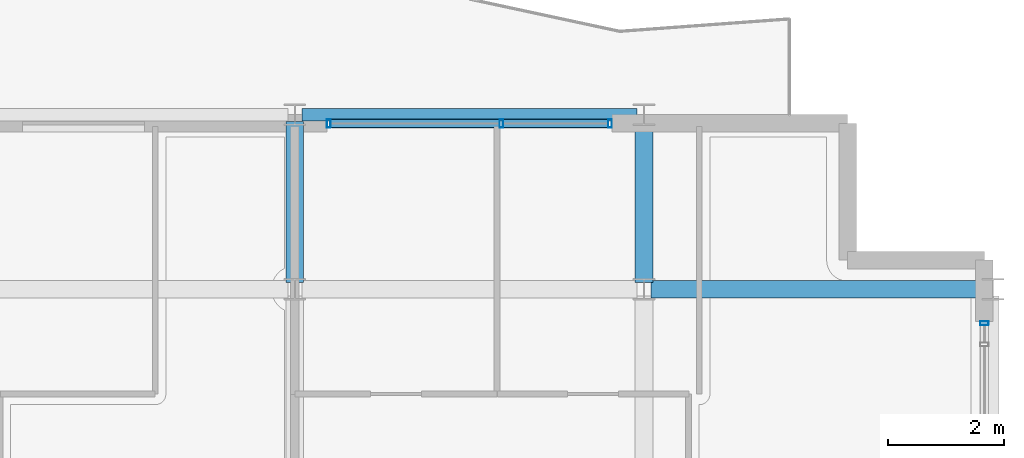
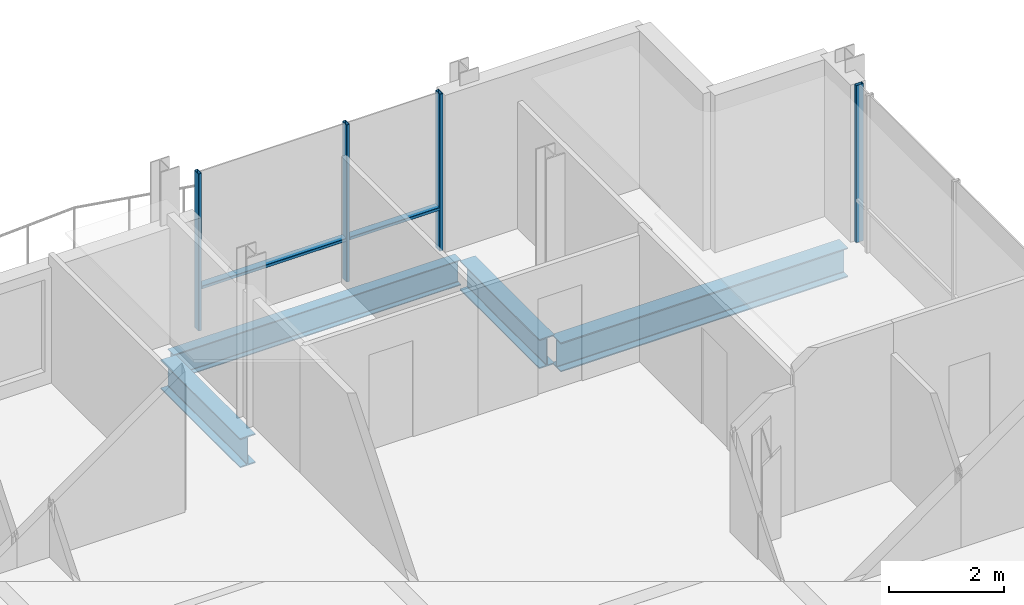
# One storey, part 19 of 35: 6 members, 4 beams, 2 elements without a shape of their own.
"""IFC4 building model written with IfcOpenShell, lengths in metres."""

from ifc_helpers import new_model, si_unit, direction, frame, origin, origin_2d, place, context, subcontext, project, spatial, hollow_rectangle, i_section, extrude, material, layer, layer_set, material_profile, profile_set, type_object, element, aggregate, save


model = new_model("IFC4")

# Units and contexts
model_context = context("Model", 3, precision=1e-05, world=origin(), true_north=direction((0.0, 1.0)))
body_context = subcontext(model_context, "Body", "Model", "MODEL_VIEW")
ifc_project = project(units=[si_unit("LENGTHUNIT", "METRE"), si_unit("AREAUNIT", "SQUARE_METRE"), si_unit("VOLUMEUNIT", "CUBIC_METRE"), si_unit("PLANEANGLEUNIT", "RADIAN"), si_unit("MASSUNIT", "GRAM", prefix="KILO")], contexts=[model_context])

# Site, building, storey
site_placement = place(None, origin())
site = spatial("IfcSite", under=ifc_project, at=site_placement, CompositionType="ELEMENT")
building_placement = place(site_placement, origin())
building = spatial("IfcBuilding", under=site, at=building_placement, Name="Brevholm Reach", CompositionType="ELEMENT")
storey_placement = place(building_placement, frame((0.0, 0.0, 214.39990234375)))
storey = spatial("IfcBuildingStorey", under=building, at=storey_placement, Name="L65", CompositionType="ELEMENT", Elevation=214.39990234375)

# Beams
ifc_material_1 = material(Name="Structural Steel S355J2", Category="steel")
ifc_material_profile_1 = material_profile(ifc_material_1, i_section(OverallWidth=0.210693359375, OverallDepth=0.53955078125, WebThickness=0.01171875, FlangeThickness=0.018798828125, FilletRadius=0.0126953125, at=origin_2d()), Name="UKB 533x210x109")
ifc_profile_set_1 = profile_set([ifc_material_profile_1], Name="Structural Steel S355J2")
beam_type_1 = type_object("IfcBeamType", Name="BM-SP539", PredefinedType="SPANDREL", material=ifc_profile_set_1)
beam_1_placement = place(storey_placement, frame((48.1201171875, 26.5, -0.689697265625), z_axis=(1.0, 0.0, 0.0), x_axis=(0.0, 1.0, 0.0)))
element("IfcBeam", 1, at=beam_1_placement, inside=storey, type_object=beam_type_1, Name="L65 SP-01B Framing Beam", PredefinedType="SPANDREL", context=body_context, shape_type="SweptSolid", body=[
    extrude(i_section(OverallWidth=0.210693359375, OverallDepth=0.53955078125, WebThickness=0.01171875, FlangeThickness=0.018798828125, FilletRadius=0.0126953125, at=origin_2d()), origin(), (0.0, 0.0, 1.0), 5.759765625),
])
ifc_material_2 = material(Name="Structural Steel S355J2", Category="steel")
ifc_material_profile_2 = material_profile(ifc_material_2, i_section(OverallWidth=0.30712890625, OverallDepth=0.6201171875, WebThickness=0.01416015625, FlangeThickness=0.023681640625, FilletRadius=0.0166015625, at=origin_2d()), Name="UKB 610x305x179")
ifc_profile_set_2 = profile_set([ifc_material_profile_2], Name="Structural Steel S355J2")
beam_type_2 = type_object("IfcBeamType", Name="BM-UKB610H", PredefinedType="USERDEFINED", material=ifc_profile_set_2)
beam_2_placement = place(storey_placement, frame((54.1201171875, 23.5, -0.72998046875), z_axis=(1.0, 0.0, 0.0), x_axis=(0.0, 1.0, 0.0)))
element("IfcBeam", 2, at=beam_2_placement, inside=storey, type_object=beam_type_2, Name="L65 G-06 Framing Beam", ObjectType="GIRDER", PredefinedType="USERDEFINED", context=body_context, shape_type="SweptSolid", body=[
    extrude(i_section(OverallWidth=0.30712890625, OverallDepth=0.6201171875, WebThickness=0.01416015625, FlangeThickness=0.023681640625, FilletRadius=0.0166015625, at=origin_2d()), origin(), (0.0, 0.0, 1.0), 5.759765625),
])
for number, where, z_axis, x_axis, name in (
    (3, (48.0, 23.6201171875, -0.72998046875), (0.0, 1.0, 0.0), (-1.0, 0.0, 0.0), "L65 G-06 Framing Beam"),
    (4, (54.0, 23.6201171875, -0.72998046875), (0.0, 1.0, 0.0), (-1.0, 0.0, 0.0), "L65 G-06 Framing Beam"),
):
    element("IfcBeam", number, at=place(storey_placement, frame(where, z_axis=z_axis, x_axis=x_axis)), inside=storey, type_object=beam_type_2, Name=name, ObjectType="GIRDER", PredefinedType="USERDEFINED", context=body_context, shape_type="SweptSolid", body=[
        extrude(i_section(OverallWidth=0.30712890625, OverallDepth=0.6201171875, WebThickness=0.01416015625, FlangeThickness=0.023681640625, FilletRadius=0.0166015625, at=origin_2d()), origin(), (0.0, 0.0, 1.0), 2.759765625),
    ])

# Curtain wall, member
ifc_material_3 = material(Name="Dark Anodised Aluminium 6063-T6 and Solar-Control Glass", Category="aluminium")
ifc_layer = layer(ifc_material_3, 0.14990234375)
ifc_layer_set = layer_set([ifc_layer], Name="Dark Anodised Aluminium 6063-T6 and Solar-Control Glass")
curtain_wall_type = type_object("IfcCurtainWallType", Name="CW-01", PredefinedType="NOTDEFINED", material=ifc_layer_set)
curtain_wall_1_placement = place(storey_placement, origin())
curtain_wall_1 = element("IfcCurtainWall", 5, at=curtain_wall_1_placement, inside=storey, type_object=curtain_wall_type, Name="L65 Curtain Wall CW-01", PredefinedType="NOTDEFINED")
ifc_material_4 = material(Name="Dark Anodised Aluminium 6063-T6", Category="aluminium")
ifc_material_profile_3 = material_profile(ifc_material_4, hollow_rectangle(XDim=0.06494140625, YDim=0.14990234375, WallThickness=0.0048828125, InnerFilletRadius=0.0048828125, OuterFilletRadius=0.010009765625, at=origin_2d()), Name="RHS 150x65x5")
ifc_profile_set_3 = profile_set([ifc_material_profile_3], Name="Dark Anodised Aluminium 6063-T6")
member_type_1 = type_object("IfcMemberType", Name="CWM-150", PredefinedType="MULLION", material=ifc_profile_set_3)
member_1_placement = place(storey_placement, frame((59.85009765625, 22.91748046875, 0.0), z_axis=(0.0, 0.0, 1.0), x_axis=(0.0, 1.0, 0.0)))
member_1 = element("IfcMember", 6, at=member_1_placement, type_object=member_type_1, Name="CM-150 Mullion 6", PredefinedType="MULLION", context=body_context, shape_type="SweptSolid", body=[
    extrude(hollow_rectangle(XDim=0.06494140625, YDim=0.14990234375, WallThickness=0.0048828125, InnerFilletRadius=0.0048828125, OuterFilletRadius=0.010009765625, at=origin_2d()), origin(), (0.0, 0.0, 1.0), 3.330078125),
])
aggregate(curtain_wall_1, [member_1])

# Curtain wall, members
curtain_wall_2_placement = place(storey_placement, origin())
curtain_wall_2 = element("IfcCurtainWall", 7, at=curtain_wall_2_placement, inside=storey, type_object=curtain_wall_type, Name="L65 Curtain Wall CW-01", PredefinedType="NOTDEFINED")
member_2_placement = place(storey_placement, frame((48.58251953125, 26.35009765625, 0.0), z_axis=(0.0, 0.0, 1.0), x_axis=(1.0, 0.0, 0.0)))
member_2 = element("IfcMember", 8, at=member_2_placement, type_object=member_type_1, Name="CM-150 Mullion 1", PredefinedType="MULLION", context=body_context, shape_type="SweptSolid", body=[
    extrude(hollow_rectangle(XDim=0.06494140625, YDim=0.14990234375, WallThickness=0.0048828125, InnerFilletRadius=0.0048828125, OuterFilletRadius=0.010009765625, at=origin_2d()), origin(), (0.0, 0.0, 1.0), 3.330078125),
])
member_3_placement = place(storey_placement, frame((51.550048828125, 26.35009765625, 0.0), z_axis=(0.0, 0.0, 1.0), x_axis=(1.0, 0.0, 0.0)))
member_3 = element("IfcMember", 9, at=member_3_placement, type_object=member_type_1, Name="CM-150 Mullion 2", PredefinedType="MULLION", context=body_context, shape_type="SweptSolid", body=[
    extrude(hollow_rectangle(XDim=0.06494140625, YDim=0.14990234375, WallThickness=0.0048828125, InnerFilletRadius=0.0048828125, OuterFilletRadius=0.010009765625, at=origin_2d()), origin(), (0.0, 0.0, 1.0), 3.330078125),
])
member_4_placement = place(storey_placement, frame((53.41748046875, 26.35009765625, 0.0), z_axis=(0.0, 0.0, 1.0), x_axis=(1.0, 0.0, 0.0)))
member_4 = element("IfcMember", 10, at=member_4_placement, type_object=member_type_1, Name="CM-150 Mullion 3", PredefinedType="MULLION", context=body_context, shape_type="SweptSolid", body=[
    extrude(hollow_rectangle(XDim=0.06494140625, YDim=0.14990234375, WallThickness=0.0048828125, InnerFilletRadius=0.0048828125, OuterFilletRadius=0.010009765625, at=origin_2d()), origin(), (0.0, 0.0, 1.0), 3.330078125),
])
ifc_material_5 = material(Name="Dark Anodised Aluminium 6063-T6", Category="aluminium")
ifc_material_profile_4 = material_profile(ifc_material_5, hollow_rectangle(XDim=0.06494140625, YDim=0.14990234375, WallThickness=0.0048828125, InnerFilletRadius=0.0048828125, OuterFilletRadius=0.010009765625, at=origin_2d()), Name="RHS 150x65x5")
ifc_profile_set_4 = profile_set([ifc_material_profile_4], Name="Dark Anodised Aluminium 6063-T6")
member_type_2 = type_object("IfcMemberType", Name="CWT-150", PredefinedType="NOTDEFINED", material=ifc_profile_set_4)
member_5_placement = place(storey_placement, frame((48.614990234375, 26.35009765625, 0.900146484375), z_axis=(1.0, 0.0, 0.0), x_axis=(0.0, 0.0, 1.0)))
member_5 = element("IfcMember", 11, at=member_5_placement, type_object=member_type_2, Name="CT-150 Transom 1.1", ObjectType="TRANSOM", PredefinedType="USERDEFINED", context=body_context, shape_type="SweptSolid", body=[
    extrude(hollow_rectangle(XDim=0.06494140625, YDim=0.14990234375, WallThickness=0.0048828125, InnerFilletRadius=0.0048828125, OuterFilletRadius=0.010009765625, at=origin_2d()), origin(), (0.0, 0.0, 1.0), 2.902587890625),
])
member_6_placement = place(storey_placement, frame((51.58251953125, 26.35009765625, 0.900146484375), z_axis=(1.0, 0.0, 0.0), x_axis=(0.0, 0.0, 1.0)))
member_6 = element("IfcMember", 12, at=member_6_placement, type_object=member_type_2, Name="CT-150 Transom 2.1", ObjectType="TRANSOM", PredefinedType="USERDEFINED", context=body_context, shape_type="SweptSolid", body=[
    extrude(hollow_rectangle(XDim=0.06494140625, YDim=0.14990234375, WallThickness=0.0048828125, InnerFilletRadius=0.0048828125, OuterFilletRadius=0.010009765625, at=origin_2d()), origin(), (0.0, 0.0, 1.0), 1.802490234375),
])
aggregate(curtain_wall_2, [member_2, member_3, member_4, member_5, member_6])

save(model, "model.ifc")
